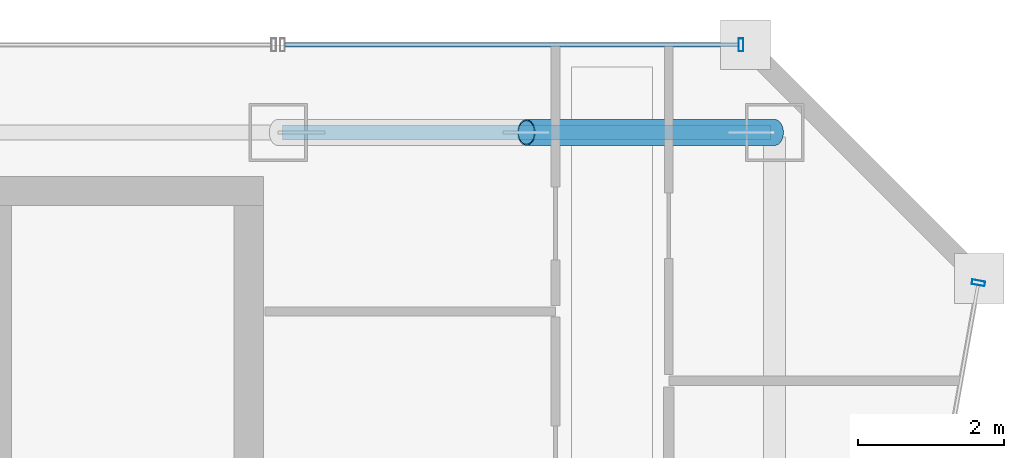
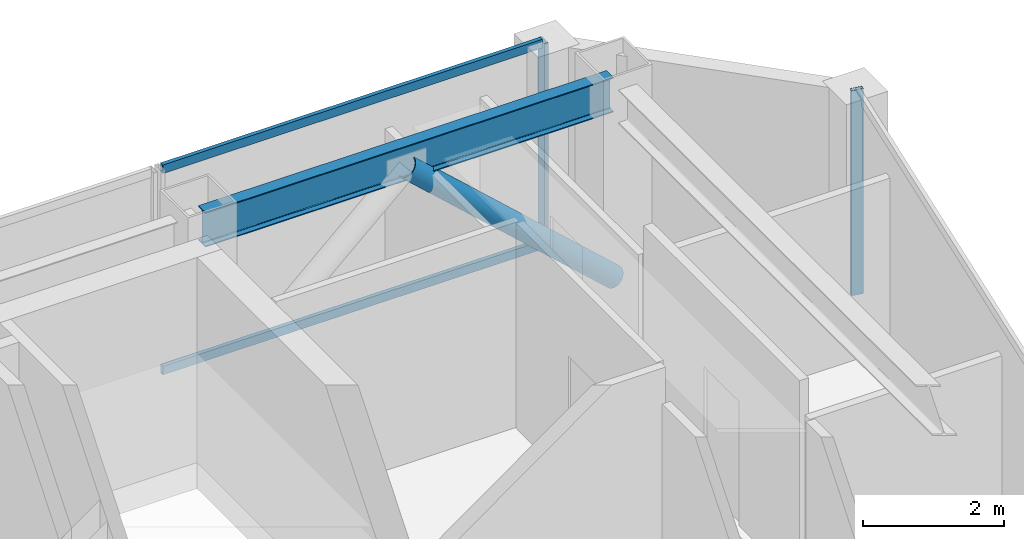
# One storey, part 17 of 28: 5 members, 1 beam, 2 elements without a shape of their own.
"""IFC4 building model written with IfcOpenShell, lengths in metres."""

from ifc_helpers import new_model, si_unit, direction, frame, origin, origin_2d, place, context, subcontext, project, spatial, hollow_rectangle, hollow_circle, i_section, extrude, material, material_profile, profile_set, type_object, element, aggregate, save


model = new_model("IFC4")

# Units and contexts
model_context = context("Model", 3, precision=1e-05, world=origin(), true_north=direction((0.0, 1.0)))
body_context = subcontext(model_context, "Body", "Model", "MODEL_VIEW")
ifc_project = project(units=[si_unit("LENGTHUNIT", "METRE"), si_unit("AREAUNIT", "SQUARE_METRE"), si_unit("VOLUMEUNIT", "CUBIC_METRE"), si_unit("PLANEANGLEUNIT", "RADIAN"), si_unit("MASSUNIT", "GRAM", prefix="KILO")], contexts=[model_context])

# Site, building, storey
site_placement = place(None, origin())
site = spatial("IfcSite", under=ifc_project, at=site_placement, CompositionType="ELEMENT")
building_placement = place(site_placement, origin())
building = spatial("IfcBuilding", under=site, at=building_placement, Name="Saevonmaru Cultural Tower", CompositionType="ELEMENT")
storey_placement = place(building_placement, frame((0.0, 0.0, 253.39990234375)))
storey = spatial("IfcBuildingStorey", under=building, at=storey_placement, Name="L59", CompositionType="ELEMENT", Elevation=253.39990234375)

# Beam
ifc_material_1 = material(Name="Steel SM355", Category="steel")
ifc_material_profile_1 = material_profile(ifc_material_1, i_section(OverallWidth=0.199951171875, OverallDepth=0.60009765625, WebThickness=0.010986328125, FlangeThickness=0.01708984375, FilletRadius=0.02197265625, at=origin_2d()), Name="H-600x200x11x17")
ifc_profile_set_1 = profile_set([ifc_material_profile_1], Name="Steel SM355")
beam_type = type_object("IfcBeamType", Name="BM-SP-H600", PredefinedType="SPANDREL", material=ifc_profile_set_1)
beam_placement = place(storey_placement, frame((46.4599609375, 54.800048828125, 3.25), z_axis=(1.0, 0.0, 0.0), x_axis=(0.0, 1.0, 0.0)))
element("IfcBeam", 1, at=beam_placement, inside=storey, type_object=beam_type, Name="L59 North Spine Girder 5", PredefinedType="SPANDREL", context=body_context, shape_type="SweptSolid", body=[
    extrude(i_section(OverallWidth=0.199951171875, OverallDepth=0.60009765625, WebThickness=0.010986328125, FlangeThickness=0.01708984375, FilletRadius=0.02197265625, at=origin_2d()), origin(), (0.0, 0.0, 1.0), 6.679931640625),
])

# Member
ifc_material_profile_2 = material_profile(ifc_material_1, hollow_circle(Radius=0.177734375, WallThickness=0.01611328125, at=origin_2d()), Name="CHS-355.6x16")
ifc_profile_set_2 = profile_set([ifc_material_profile_2], Name="Steel SM355")
member_type_1 = type_object("IfcMemberType", Name="MB-PBR-CHS356", PredefinedType="BRACE", material=ifc_profile_set_2)
member_1_placement = place(storey_placement, frame((53.199951171875, 54.800048828125, 0.02001953125), z_axis=(-0.738935641579, 0.0, 0.673776014417), x_axis=(0.0, -1.0, 0.0)))
element("IfcMember", 2, at=member_1_placement, inside=storey, type_object=member_type_1, Name="L59 Perimeter Braced-Tube Diagonal EN2", PredefinedType="BRACE", context=body_context, shape_type="SweptSolid", body=[
    extrude(hollow_circle(Radius=0.177734375, WallThickness=0.01611328125, at=origin_2d()), origin(), (0.0, 0.0, 1.0), 4.60107421875),
])

# Curtain wall, member
ifc_material_2 = material(Name="Satin Bronze Anodised Aluminium", Category="aluminium")
curtain_wall_type = type_object("IfcCurtainWallType", Name="CW-TYP-B", PredefinedType="NOTDEFINED", material=ifc_material_2)
curtain_wall_1_placement = place(storey_placement, origin())
curtain_wall_1 = element("IfcCurtainWall", 3, at=curtain_wall_1_placement, inside=storey, type_object=curtain_wall_type, Name="L59 Unitised Curtain Wall E8", PredefinedType="NOTDEFINED")
ifc_material_profile_3 = material_profile(ifc_material_2, hollow_rectangle(XDim=0.06494140625, YDim=0.179931640625, WallThickness=0.00390625, at=origin_2d()), Name="ALU-MULL-180x65x4")
ifc_profile_set_3 = profile_set([ifc_material_profile_3], Name="Satin Bronze Anodised Aluminium")
member_type_2 = type_object("IfcMemberType", Name="ML-CW-180x65", PredefinedType="MULLION", material=ifc_profile_set_3)
member_2_placement = place(storey_placement, frame((55.989501953125, 52.740966796875, 0.0), z_axis=(0.0, 0.0, 1.0), x_axis=(0.176140740755, 0.984364993001, 0.0)))
member_2 = element("IfcMember", 4, at=member_2_placement, type_object=member_type_2, Name="CW-TW-L59-E8 mullion 4", PredefinedType="MULLION", context=body_context, shape_type="SweptSolid", body=[
    extrude(hollow_rectangle(XDim=0.06494140625, YDim=0.179931640625, WallThickness=0.00390625, at=origin_2d()), origin(), (0.0, 0.0, 1.0), 3.550048828125),
])
aggregate(curtain_wall_1, [member_2])

# Curtain wall, members
curtain_wall_2_placement = place(storey_placement, origin())
curtain_wall_2 = element("IfcCurtainWall", 5, at=curtain_wall_2_placement, inside=storey, type_object=curtain_wall_type, Name="L59 East Braced Bay Spandrel Curtain Wall E10A", PredefinedType="NOTDEFINED")
member_3_placement = place(storey_placement, frame((52.739990234375, 56.0, 0.0), z_axis=(0.0, 0.0, 1.0), x_axis=(-1.0, 0.0, 0.0)))
member_3 = element("IfcMember", 6, at=member_3_placement, type_object=member_type_2, Name="CW-TW-L59-E10A mullion 1", PredefinedType="MULLION", context=body_context, shape_type="SweptSolid", body=[
    extrude(hollow_rectangle(XDim=0.06494140625, YDim=0.179931640625, WallThickness=0.00390625, at=origin_2d()), origin(), (0.0, 0.0, 1.0), 3.550048828125),
])
ifc_material_profile_4 = material_profile(ifc_material_2, hollow_rectangle(XDim=0.06494140625, YDim=0.14990234375, WallThickness=0.00390625, at=origin_2d()), Name="ALU-TRAN-150x65x4")
ifc_profile_set_4 = profile_set([ifc_material_profile_4], Name="Satin Bronze Anodised Aluminium")
member_type_3 = type_object("IfcMemberType", Name="TR-CW-150x65", PredefinedType="USERDEFINED", material=ifc_profile_set_4)
member_4_placement = place(storey_placement, frame((52.70751953125, 56.0, 0.03271484375), z_axis=(-1.0, 0.0, 0.0), x_axis=(0.0, -1.0, 0.0)))
member_4 = element("IfcMember", 7, at=member_4_placement, type_object=member_type_3, Name="CW-TW-L59-E10A transom 1.1", ObjectType="TRANSOM", PredefinedType="USERDEFINED", context=body_context, shape_type="SweptSolid", body=[
    extrude(hollow_rectangle(XDim=0.06494140625, YDim=0.14990234375, WallThickness=0.00390625, at=origin_2d()), origin(), (0.0, 0.0, 1.0), 6.215087890625),
])
member_5_placement = place(storey_placement, frame((52.70751953125, 56.0, 3.517578125), z_axis=(-1.0, 0.0, 0.0), x_axis=(0.0, -1.0, 0.0)))
member_5 = element("IfcMember", 8, at=member_5_placement, type_object=member_type_3, Name="CW-TW-L59-E10A transom 1.2", ObjectType="TRANSOM", PredefinedType="USERDEFINED", context=body_context, shape_type="SweptSolid", body=[
    extrude(hollow_rectangle(XDim=0.06494140625, YDim=0.14990234375, WallThickness=0.00390625, at=origin_2d()), origin(), (0.0, 0.0, 1.0), 6.215087890625),
])
aggregate(curtain_wall_2, [member_3, member_4, member_5])

save(model, "model.ifc")
